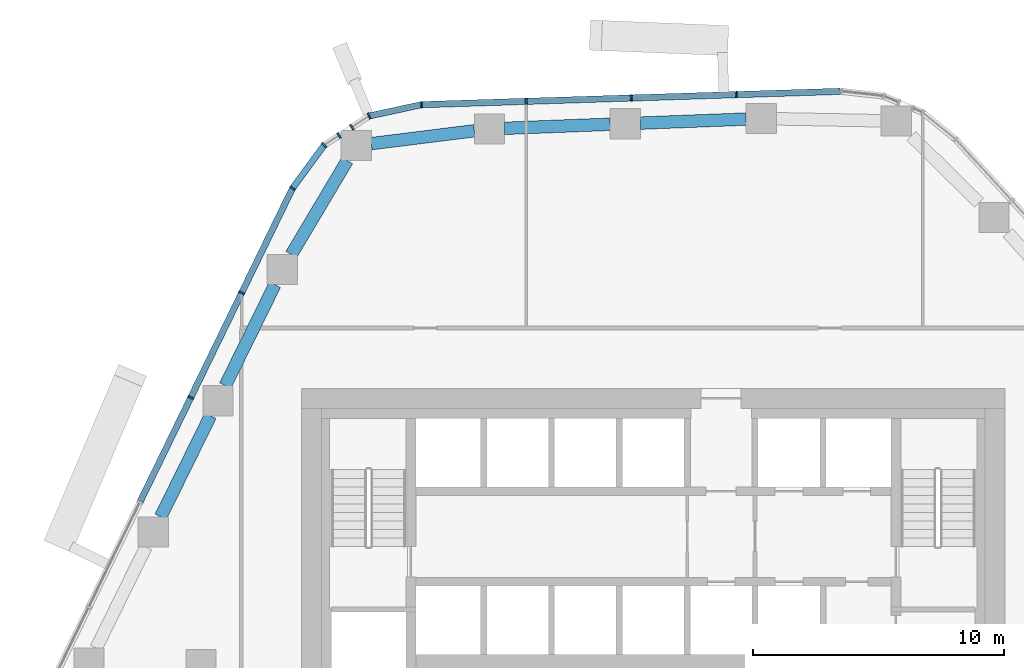
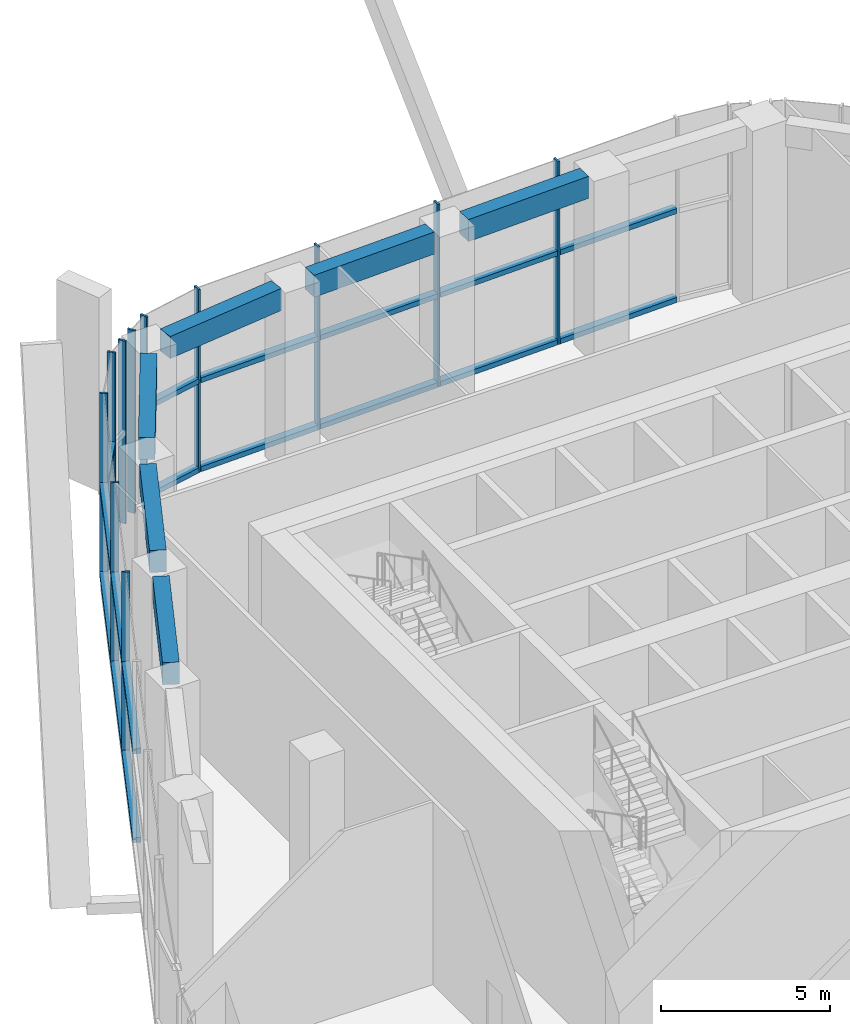
# One storey, part 4 of 20: 29 members, 6 beams, 4 elements without a shape of their own.
"""IFC4 building model written with IfcOpenShell, lengths in metres."""

import ifcopenshell
import ifcopenshell.guid

model = None  # the IFC model being written
_history = None  # IfcOwnerHistory: only IFC2X3 demands one
_inside = {}  # id of a spatial element -> (the spatial element, [elements in it])
_under = {}  # id of a project, library or spatial element -> (it, [spatial elements below it])
_declared = {}  # id of a project -> (the project, [libraries it declares])
_typed = {}  # id of a type object -> (the type object, [elements of that type])
_made_of = {}  # id of a material, layer set ... -> (it, [elements and type objects made of it])


def new_model(schema):
    """Start an empty IFC model of exactly this schema.

    Asked for "IFC4X3", IfcOpenShell would pick the latest addendum, in which some entities
    have other attributes; the version numbers below select the first issue.
    IFC2X3 requires an IfcOwnerHistory on every rooted entity: one is made here for all.
    """
    global model, _history
    if schema == "IFC4X3":
        model = ifcopenshell.file(schema_version=(4, 3, 0, 0))
    else:
        model = ifcopenshell.file(schema=schema)
    _inside.clear()
    _under.clear()
    _declared.clear()
    _typed.clear()
    _made_of.clear()
    _history = None
    if model.schema == "IFC2X3":
        org = make("IfcOrganization", Name="unknown")
        user = make(
            "IfcPersonAndOrganization",
            ThePerson=make("IfcPerson", FamilyName="unknown"),
            TheOrganization=org,
        )
        app = make(
            "IfcApplication",
            ApplicationDeveloper=org,
            Version="unknown",
            ApplicationFullName="unknown",
            ApplicationIdentifier="unknown",
        )
        _history = make(
            "IfcOwnerHistory",
            OwningUser=user,
            OwningApplication=app,
            ChangeAction="ADDED",
            CreationDate=0,
        )
    return model


def make(cls, **values):
    """One entity of the class cls with the attributes given. An attribute that is None is left unset."""
    return model.create_entity(
        cls, **{name: value for name, value in values.items() if value is not None}
    )


def rooted(cls, **values):
    """An entity with a GlobalId (a new one), such as an element, a storey or a relation."""
    return make(cls, GlobalId=ifcopenshell.guid.new(), OwnerHistory=_history, **values)


def si_unit(unit_type, name, prefix=None):
    """IfcSIUnit, for example si_unit("LENGTHUNIT", "METRE", prefix="MILLI")."""
    return make("IfcSIUnit", UnitType=unit_type, Prefix=prefix, Name=name)


def assignment(units):
    """IfcUnitAssignment: the units of a project."""
    return None if units is None else make("IfcUnitAssignment", Units=units)


def point(xyz):
    """IfcCartesianPoint."""
    return None if xyz is None else make("IfcCartesianPoint", Coordinates=xyz)


def direction(xyz):
    """IfcDirection."""
    return None if xyz is None else make("IfcDirection", DirectionRatios=xyz)


def frame(location, z_axis=None, x_axis=None):
    """IfcAxis2Placement3D, a coordinate frame: its origin and axes. An axis left out is left unset."""
    return make(
        "IfcAxis2Placement3D",
        Location=point(location),
        Axis=direction(z_axis),
        RefDirection=direction(x_axis),
    )


def frame_2d(location, x_axis=None):
    """IfcAxis2Placement2D, a coordinate frame in the plane: its origin and x axis."""
    return make(
        "IfcAxis2Placement2D", Location=point(location), RefDirection=direction(x_axis)
    )


def origin():
    """The frame at (0, 0, 0) with its axes left unset."""
    return frame((0.0, 0.0, 0.0))


def origin_2d():
    """The frame at (0, 0) in the plane with its x axis left unset."""
    return frame_2d((0.0, 0.0))


def place(relative_to, where):
    """IfcLocalPlacement: puts the frame where relative to a parent placement (None: the world)."""
    return make(
        "IfcLocalPlacement", PlacementRelTo=relative_to, RelativePlacement=where
    )


def context(
    kind, dimensions, precision=None, world=None, true_north=None, identifier=None
):
    """IfcGeometricRepresentationContext, for example the 3D "Model" context."""
    return make(
        "IfcGeometricRepresentationContext",
        ContextIdentifier=identifier,
        ContextType=kind,
        CoordinateSpaceDimension=dimensions,
        Precision=precision,
        WorldCoordinateSystem=world,
        TrueNorth=true_north,
    )


def subcontext(parent, identifier, kind, view, scale=None):
    """IfcGeometricRepresentationSubContext, for example "Body" below "Model"."""
    return make(
        "IfcGeometricRepresentationSubContext",
        ContextIdentifier=identifier,
        ContextType=kind,
        ParentContext=parent,
        TargetScale=scale,
        TargetView=view,
    )


def project(units=None, contexts=None):
    """IfcProject with its units and contexts."""
    return rooted(
        "IfcProject",
        Name="project",
        RepresentationContexts=contexts,
        UnitsInContext=assignment(units),
    )


def spatial(cls, under=None, at=None, **own):
    """A site, building, storey or space (cls), placed at a placement, below another one or the project."""
    s = rooted(cls, ObjectPlacement=at, **own)
    if under is not None:
        _under.setdefault(under.id(), (under, []))[1].append(s)
    return s


def profile(cls, at=None, kind="AREA", **sizes):
    """A parametric profile (cls). Its sizes go by their IFC names, for example OverallWidth=200.0."""
    return make(cls, ProfileType=kind, Position=at, **sizes)


def rectangle(**sizes):
    """IfcRectangleProfileDef."""
    return profile("IfcRectangleProfileDef", **sizes)


def extrude(swept, where, along, depth):
    """IfcExtrudedAreaSolid: the profile swept, set in the frame where, extruded along a direction by depth."""
    return make(
        "IfcExtrudedAreaSolid",
        SweptArea=swept,
        Position=where,
        ExtrudedDirection=direction(along),
        Depth=depth,
    )


def shape(context_of_items, identifier, shape_type, items):
    """IfcShapeRepresentation: the items that make up one representation, for example the "Body"."""
    return make(
        "IfcShapeRepresentation",
        ContextOfItems=context_of_items,
        RepresentationIdentifier=identifier,
        RepresentationType=shape_type,
        Items=items,
    )


def material(Name=None, Category=None):
    """IfcMaterial."""
    return make("IfcMaterial", Name=Name, Category=Category)


def layer(
    of_material, thickness, ventilated=None, Name=None, Category=None, Priority=None
):
    """IfcMaterialLayer: one layer of a wall or slab, of a material (None: an air gap)."""
    return make(
        "IfcMaterialLayer",
        Material=of_material,
        LayerThickness=thickness,
        IsVentilated=ventilated,
        Name=Name,
        Category=Category,
        Priority=Priority,
    )


def layer_set(layers, Name=None):
    """IfcMaterialLayerSet."""
    return make("IfcMaterialLayerSet", MaterialLayers=layers, LayerSetName=Name)


def material_profile(
    of_material, cross_section, Name=None, Category=None, Priority=None
):
    """IfcMaterialProfile: a cross section and its material."""
    return make(
        "IfcMaterialProfile",
        Name=Name,
        Material=of_material,
        Profile=cross_section,
        Priority=Priority,
        Category=Category,
    )


def profile_set(profiles, Name=None, composite=None):
    """IfcMaterialProfileSet."""
    return make(
        "IfcMaterialProfileSet",
        Name=Name,
        MaterialProfiles=profiles,
        CompositeProfile=composite,
    )


def made_of(thing, what):
    """Note that an element or type object is made of a material, layer set ...; save() writes the relation."""
    if what is not None:
        _made_of.setdefault(what.id(), (what, []))[1].append(thing)
    return thing


def type_object(cls, material=None, **own):
    """A type object (cls), such as IfcWallType, which elements share."""
    return made_of(rooted(cls, **own), material)


def element(
    cls,
    number,
    at=None,
    inside=None,
    cuts=None,
    type_object=None,
    material=None,
    context=None,
    identifier="Body",
    shape_type=None,
    held_by="IfcProductDefinitionShape",
    body=None,
    shapes=None,
    **own,
):
    """One element of the class cls, such as IfcWall. Its Tag is "e" and its number.

    at: its placement. inside: the storey or other place that contains it. cuts: it is an
    opening in that element (IfcRelVoidsElement). A single representation is given by context,
    identifier, shape_type and body (its items); several are given by shapes. held_by: the class
    of the entity that holds the representations. save() writes the other relations.
    """
    e = rooted(cls, Tag="e%d" % number, ObjectPlacement=at, **own)
    if body is not None:
        shapes = [shape(context, identifier, shape_type, body)]
    if shapes is not None:
        e.Representation = make(held_by, Representations=shapes)
    if inside is not None:
        _inside.setdefault(inside.id(), (inside, []))[1].append(e)
    if cuts is not None:
        rooted(
            "IfcRelVoidsElement", RelatingBuildingElement=cuts, RelatedOpeningElement=e
        )
    if type_object is not None:
        _typed.setdefault(type_object.id(), (type_object, []))[1].append(e)
    return made_of(e, material)


def aggregate(whole, parts):
    """IfcRelAggregates: a whole, such as a stair, and the parts it consists of."""
    return rooted("IfcRelAggregates", RelatingObject=whole, RelatedObjects=parts)


def save(model, path):
    """Write the relations noted so far, then the file.

    IfcRelAggregates (storeys below a building ...), IfcRelContainedInSpatialStructure (elements
    in a storey), IfcRelDefinesByType, IfcRelAssociatesMaterial and IfcRelDeclares: one each for
    every whole, place, type object, material and project.
    """
    for whole, parts in _under.values():
        aggregate(whole, parts)
    for where, things in _inside.values():
        rooted(
            "IfcRelContainedInSpatialStructure",
            RelatedElements=things,
            RelatingStructure=where,
        )
    for kind, things in _typed.values():
        rooted("IfcRelDefinesByType", RelatedObjects=things, RelatingType=kind)
    for what, things in _made_of.values():
        rooted("IfcRelAssociatesMaterial", RelatedObjects=things, RelatingMaterial=what)
    for by, libraries in _declared.values():
        rooted("IfcRelDeclares", RelatingContext=by, RelatedDefinitions=libraries)
    model.write(path)


model = new_model("IFC4")

# Units and contexts
model_context = context("Model", 3, precision=1e-05, world=origin(), true_north=direction((0.0, 1.0)))
body_context = subcontext(model_context, "Body", "Model", "MODEL_VIEW")
ifc_project = project(units=[si_unit("LENGTHUNIT", "METRE"), si_unit("AREAUNIT", "SQUARE_METRE"), si_unit("VOLUMEUNIT", "CUBIC_METRE"), si_unit("PLANEANGLEUNIT", "RADIAN"), si_unit("MASSUNIT", "GRAM", prefix="KILO")], contexts=[model_context])

# Site, building, storey
site_placement = place(None, origin())
site = spatial("IfcSite", under=ifc_project, at=site_placement, CompositionType="ELEMENT")
building_placement = place(site_placement, origin())
building = spatial("IfcBuilding", under=site, at=building_placement, Name="Dongbaek Canopy Tower", CompositionType="ELEMENT")
storey_placement = place(building_placement, frame((0.0, 0.0, 151.60009765625)))
storey = spatial("IfcBuildingStorey", under=building, at=storey_placement, Name="L33", CompositionType="ELEMENT", Elevation=151.60009765625)

# Curtain wall, members
ifc_material_1 = material(Name="Aluminium 6063-T6 pale anodised", Category="aluminium")
ifc_layer = layer(ifc_material_1, 0.25)
ifc_layer_set = layer_set([ifc_layer], Name="CW-4 sky-lobby curtain wall")
curtain_wall_type = type_object("IfcCurtainWallType", Name="CW-4 sky-lobby curtain wall", PredefinedType="NOTDEFINED", material=ifc_layer_set)
curtain_wall_1_placement = place(storey_placement, origin())
curtain_wall_1 = element("IfcCurtainWall", 1, at=curtain_wall_1_placement, inside=storey, type_object=curtain_wall_type, Name="CW-4 curtain wall F1.1", PredefinedType="NOTDEFINED")
ifc_material_2 = material(Name="Aluminium 6063-T6 pale anodised", Category="aluminium")
ifc_material_profile_1 = material_profile(ifc_material_2, rectangle(XDim=0.25, YDim=0.070068359375, at=origin_2d()), Name="CW-4 mullion 70 x 250")
ifc_profile_set_1 = profile_set([ifc_material_profile_1], Name="Aluminium 6063-T6 pale anodised")
member_type_1 = type_object("IfcMemberType", Name="CW-4 mullion 70 x 250", PredefinedType="MULLION", material=ifc_profile_set_1)
member_1_placement = place(storey_placement, frame((3.31201171875, 22.6865234375, 0.0), z_axis=(0.0, 0.0, 1.0), x_axis=(-0.031868103134, 0.999492083011, 0.0)))
member_1 = element("IfcMember", 2, at=member_1_placement, type_object=member_type_1, Name="CW-4 mullion F1.1.2", PredefinedType="MULLION", context=body_context, shape_type="SweptSolid", body=[
    extrude(rectangle(XDim=0.25, YDim=0.070068359375, at=origin_2d()), origin(), (0.0, 0.0, 1.0), 6.619873046875),
])
member_2_placement = place(storey_placement, frame((-0.870361328125, 22.55322265625, 0.0), z_axis=(0.0, 0.0, 1.0), x_axis=(-0.031868103134, 0.999492083011, 0.0)))
member_2 = element("IfcMember", 3, at=member_2_placement, type_object=member_type_1, Name="CW-4 mullion F1.1.3", PredefinedType="MULLION", context=body_context, shape_type="SweptSolid", body=[
    extrude(rectangle(XDim=0.25, YDim=0.070068359375, at=origin_2d()), origin(), (0.0, 0.0, 1.0), 6.619873046875),
])
member_3_placement = place(storey_placement, frame((-5.052490234375, 22.419921875, 0.0), z_axis=(0.0, 0.0, 1.0), x_axis=(-0.031868103134, 0.999492083011, 0.0)))
member_3 = element("IfcMember", 4, at=member_3_placement, type_object=member_type_1, Name="CW-4 mullion F1.1.4", PredefinedType="MULLION", context=body_context, shape_type="SweptSolid", body=[
    extrude(rectangle(XDim=0.25, YDim=0.070068359375, at=origin_2d()), origin(), (0.0, 0.0, 1.0), 6.619873046875),
])
member_4_placement = place(storey_placement, frame((-9.2255859375, 22.286865234375, 0.0), z_axis=(0.0, 0.0, 1.0), x_axis=(-0.031868103134, 0.999492083011, 0.0)))
member_4 = element("IfcMember", 5, at=member_4_placement, type_object=member_type_1, Name="CW-4 mullion F1.1.5", PredefinedType="MULLION", context=body_context, shape_type="SweptSolid", body=[
    extrude(rectangle(XDim=0.25, YDim=0.070068359375, at=origin_2d()), origin(), (0.0, 0.0, 1.0), 6.619873046875),
])

curtain_wall_2_placement = place(storey_placement, origin())
curtain_wall_2 = element("IfcCurtainWall", 6, at=curtain_wall_2_placement, inside=storey, type_object=curtain_wall_type, Name="CW-4 curtain wall K2.1a", PredefinedType="NOTDEFINED")
member_5_placement = place(storey_placement, frame((-11.310791015625, 21.8359375, 0.0), z_axis=(0.0, 0.0, 1.0), x_axis=(-0.383856899536, 0.92339259293, 0.0)))
member_5 = element("IfcMember", 7, at=member_5_placement, type_object=member_type_1, Name="CW-4 mullion K2.1a.2", PredefinedType="MULLION", context=body_context, shape_type="SweptSolid", body=[
    extrude(rectangle(XDim=0.25, YDim=0.070068359375, at=origin_2d()), origin(), (0.0, 0.0, 1.0), 6.619873046875),
])
member_6_placement = place(storey_placement, frame((-11.997314453125, 21.39111328125, 0.0), z_axis=(0.0, 0.0, 1.0), x_axis=(-0.543849562262, 0.839182729581, 0.0)))
member_6 = element("IfcMember", 8, at=member_6_placement, type_object=member_type_1, Name="CW-4 mullion K2.1a.3", PredefinedType="MULLION", context=body_context, shape_type="SweptSolid", body=[
    extrude(rectangle(XDim=0.25, YDim=0.070068359375, at=origin_2d()), origin(), (0.0, 0.0, 1.0), 6.619873046875),
])

curtain_wall_3_placement = place(storey_placement, origin())
curtain_wall_3 = element("IfcCurtainWall", 9, at=curtain_wall_3_placement, inside=storey, type_object=curtain_wall_type, Name="CW-4 curtain wall K2.1b", PredefinedType="NOTDEFINED")
member_7_placement = place(storey_placement, frame((-12.50732421875, 21.060546875, 0.0), z_axis=(0.0, 0.0, 1.0), x_axis=(-0.543849562262, 0.839182729581, 0.0)))
member_7 = element("IfcMember", 10, at=member_7_placement, type_object=member_type_1, Name="CW-4 mullion K2.1b.1", PredefinedType="MULLION", context=body_context, shape_type="SweptSolid", body=[
    extrude(rectangle(XDim=0.25, YDim=0.070068359375, at=origin_2d()), origin(), (0.0, 0.0, 1.0), 6.619873046875),
])
member_8_placement = place(storey_placement, frame((-13.09326171875, 20.680908203125, 0.0), z_axis=(0.0, 0.0, 1.0), x_axis=(-0.686064352094, 0.727540861249, 0.0)))
member_8 = element("IfcMember", 11, at=member_8_placement, type_object=member_type_1, Name="CW-4 mullion K2.1b.2", PredefinedType="MULLION", context=body_context, shape_type="SweptSolid", body=[
    extrude(rectangle(XDim=0.25, YDim=0.070068359375, at=origin_2d()), origin(), (0.0, 0.0, 1.0), 6.619873046875),
])
member_9_placement = place(storey_placement, frame((-14.3564453125, 18.961669921875, 0.0), z_axis=(0.0, 0.0, 1.0), x_axis=(-0.805852416419, 0.592116443744, 0.0)))
member_9 = element("IfcMember", 12, at=member_9_placement, type_object=member_type_1, Name="CW-4 mullion K2.1b.3", PredefinedType="MULLION", context=body_context, shape_type="SweptSolid", body=[
    extrude(rectangle(XDim=0.25, YDim=0.070068359375, at=origin_2d()), origin(), (0.0, 0.0, 1.0), 6.619873046875),
])

curtain_wall_4_placement = place(storey_placement, origin())
curtain_wall_4 = element("IfcCurtainWall", 13, at=curtain_wall_4_placement, inside=storey, type_object=curtain_wall_type, Name="CW-4 curtain wall F2.1", PredefinedType="NOTDEFINED")
member_10_placement = place(storey_placement, frame((-16.379638671875, 14.80126953125, 0.0), z_axis=(0.0, 0.0, 1.0), x_axis=(-0.899298008809, 0.437336359513, 0.0)))
member_10 = element("IfcMember", 14, at=member_10_placement, type_object=member_type_1, Name="CW-4 mullion F2.1.2", PredefinedType="MULLION", context=body_context, shape_type="SweptSolid", body=[
    extrude(rectangle(XDim=0.25, YDim=0.070068359375, at=origin_2d()), origin(), (0.0, 0.0, 1.0), 6.619873046875),
])
member_11_placement = place(storey_placement, frame((-18.40673828125, 10.6328125, 0.0), z_axis=(0.0, 0.0, 1.0), x_axis=(-0.899298008809, 0.437336359513, 0.0)))
member_11 = element("IfcMember", 15, at=member_11_placement, type_object=member_type_1, Name="CW-4 mullion F2.1.3", PredefinedType="MULLION", context=body_context, shape_type="SweptSolid", body=[
    extrude(rectangle(XDim=0.25, YDim=0.070068359375, at=origin_2d()), origin(), (0.0, 0.0, 1.0), 6.619873046875),
])

# Member
ifc_material_3 = material(Name="Aluminium 6063-T6 pale anodised", Category="aluminium")
ifc_material_profile_2 = material_profile(ifc_material_3, rectangle(XDim=0.25, YDim=0.179931640625, at=origin_2d()), Name="CW-4 transom 180 x 250")
ifc_profile_set_2 = profile_set([ifc_material_profile_2], Name="Aluminium 6063-T6 pale anodised")
member_type_2 = type_object("IfcMemberType", Name="CW-4 transom 180 x 250", PredefinedType="USERDEFINED", material=ifc_profile_set_2)
member_12_placement = place(storey_placement, frame((7.43994140625, 22.818115234375, 0.08984375), z_axis=(-0.99949204096, -0.031869421981, 0.0), x_axis=(0.031869421981, -0.99949204096, 0.0)))
member_12 = element("IfcMember", 16, at=member_12_placement, type_object=member_type_2, Name="CW-4 transom F1.1.1.1", ObjectType="TRANSOM", PredefinedType="USERDEFINED", context=body_context, shape_type="SweptSolid", body=[
    extrude(rectangle(XDim=0.25, YDim=0.179931640625, at=origin_2d()), origin(), (0.0, 0.0, 1.0), 4.0830078125),
])

member_13_placement = place(storey_placement, frame((7.43994140625, 22.818115234375, 3.309814453125), z_axis=(-0.99949204096, -0.031869421981, 0.0), x_axis=(0.031869421981, -0.99949204096, 0.0)))
member_13 = element("IfcMember", 17, at=member_13_placement, type_object=member_type_2, Name="CW-4 transom F1.1.1.2", ObjectType="TRANSOM", PredefinedType="USERDEFINED", context=body_context, shape_type="SweptSolid", body=[
    extrude(rectangle(XDim=0.25, YDim=0.179931640625, at=origin_2d()), origin(), (0.0, 0.0, 1.0), 4.0830078125),
])

member_14_placement = place(storey_placement, frame((3.264892578125, 22.68505859375, 0.08984375), z_axis=(-0.999491897751, -0.031873913013, 0.0), x_axis=(0.031873913013, -0.999491897751, 0.0)))
member_14 = element("IfcMember", 18, at=member_14_placement, type_object=member_type_2, Name="CW-4 transom F1.1.2.1", ObjectType="TRANSOM", PredefinedType="USERDEFINED", context=body_context, shape_type="SweptSolid", body=[
    extrude(rectangle(XDim=0.25, YDim=0.179931640625, at=origin_2d()), origin(), (0.0, 0.0, 1.0), 4.09033203125),
])

member_15_placement = place(storey_placement, frame((3.264892578125, 22.68505859375, 3.309814453125), z_axis=(-0.999491897751, -0.031873913013, 0.0), x_axis=(0.031873913013, -0.999491897751, 0.0)))
member_15 = element("IfcMember", 19, at=member_15_placement, type_object=member_type_2, Name="CW-4 transom F1.1.2.2", ObjectType="TRANSOM", PredefinedType="USERDEFINED", context=body_context, shape_type="SweptSolid", body=[
    extrude(rectangle(XDim=0.25, YDim=0.179931640625, at=origin_2d()), origin(), (0.0, 0.0, 1.0), 4.09033203125),
])

member_16_placement = place(storey_placement, frame((-0.917236328125, 22.5517578125, 0.08984375), z_axis=(-0.999491897751, -0.031873913013, 0.0), x_axis=(0.031873913013, -0.999491897751, 0.0)))
member_16 = element("IfcMember", 20, at=member_16_placement, type_object=member_type_2, Name="CW-4 transom F1.1.3.1", ObjectType="TRANSOM", PredefinedType="USERDEFINED", context=body_context, shape_type="SweptSolid", body=[
    extrude(rectangle(XDim=0.25, YDim=0.179931640625, at=origin_2d()), origin(), (0.0, 0.0, 1.0), 4.09033203125),
])

member_17_placement = place(storey_placement, frame((-0.917236328125, 22.5517578125, 3.309814453125), z_axis=(-0.999491897751, -0.031873913013, 0.0), x_axis=(0.031873913013, -0.999491897751, 0.0)))
member_17 = element("IfcMember", 21, at=member_17_placement, type_object=member_type_2, Name="CW-4 transom F1.1.3.2", ObjectType="TRANSOM", PredefinedType="USERDEFINED", context=body_context, shape_type="SweptSolid", body=[
    extrude(rectangle(XDim=0.25, YDim=0.179931640625, at=origin_2d()), origin(), (0.0, 0.0, 1.0), 4.09033203125),
])

member_18_placement = place(storey_placement, frame((-5.099365234375, 22.41845703125, 0.08984375), z_axis=(-0.99949155478, -0.03188466595, 0.0), x_axis=(0.03188466595, -0.99949155478, 0.0)))
member_18 = element("IfcMember", 22, at=member_18_placement, type_object=member_type_2, Name="CW-4 transom F1.1.4.1", ObjectType="TRANSOM", PredefinedType="USERDEFINED", context=body_context, shape_type="SweptSolid", body=[
    extrude(rectangle(XDim=0.25, YDim=0.179931640625, at=origin_2d()), origin(), (0.0, 0.0, 1.0), 4.0810546875),
])

member_19_placement = place(storey_placement, frame((-5.099365234375, 22.41845703125, 3.309814453125), z_axis=(-0.99949155478, -0.03188466595, 0.0), x_axis=(0.03188466595, -0.99949155478, 0.0)))
member_19 = element("IfcMember", 23, at=member_19_placement, type_object=member_type_2, Name="CW-4 transom F1.1.4.2", ObjectType="TRANSOM", PredefinedType="USERDEFINED", context=body_context, shape_type="SweptSolid", body=[
    extrude(rectangle(XDim=0.25, YDim=0.179931640625, at=origin_2d()), origin(), (0.0, 0.0, 1.0), 4.0810546875),
])

aggregate(curtain_wall_1, [member_1, member_2, member_3, member_4, member_12, member_13, member_14, member_15, member_16, member_17, member_18, member_19])

member_20_placement = place(storey_placement, frame((-9.271484375, 22.27685546875, 0.08984375), z_axis=(-0.977418843839, -0.21131115377, 0.0), x_axis=(0.21131115377, -0.977418843839, 0.0)))
member_20 = element("IfcMember", 24, at=member_20_placement, type_object=member_type_2, Name="CW-4 transom K2.1a.1.1", ObjectType="TRANSOM", PredefinedType="USERDEFINED", context=body_context, shape_type="SweptSolid", body=[
    extrude(rectangle(XDim=0.25, YDim=0.179931640625, at=origin_2d()), origin(), (0.0, 0.0, 1.0), 2.039306640625),
])

member_21_placement = place(storey_placement, frame((-9.271484375, 22.27685546875, 3.309814453125), z_axis=(-0.977418843839, -0.21131115377, 0.0), x_axis=(0.21131115377, -0.977418843839, 0.0)))
member_21 = element("IfcMember", 25, at=member_21_placement, type_object=member_type_2, Name="CW-4 transom K2.1a.1.2", ObjectType="TRANSOM", PredefinedType="USERDEFINED", context=body_context, shape_type="SweptSolid", body=[
    extrude(rectangle(XDim=0.25, YDim=0.179931640625, at=origin_2d()), origin(), (0.0, 0.0, 1.0), 2.039306640625),
])

aggregate(curtain_wall_2, [member_5, member_6, member_20, member_21])

member_22_placement = place(storey_placement, frame((-13.12109375, 20.64306640625, 0.08984375), z_axis=(-0.592079607194, -0.805879481526, 0.0), x_axis=(0.805879481526, -0.592079607194, 0.0)))
member_22 = element("IfcMember", 26, at=member_22_placement, type_object=member_type_2, Name="CW-4 transom K2.1b.2.1", ObjectType="TRANSOM", PredefinedType="USERDEFINED", context=body_context, shape_type="SweptSolid", body=[
    extrude(rectangle(XDim=0.25, YDim=0.179931640625, at=origin_2d()), origin(), (0.0, 0.0, 1.0), 2.03955078125),
])

member_23_placement = place(storey_placement, frame((-13.12109375, 20.64306640625, 3.309814453125), z_axis=(-0.592079607194, -0.805879481526, 0.0), x_axis=(0.805879481526, -0.592079607194, 0.0)))
member_23 = element("IfcMember", 27, at=member_23_placement, type_object=member_type_2, Name="CW-4 transom K2.1b.2.2", ObjectType="TRANSOM", PredefinedType="USERDEFINED", context=body_context, shape_type="SweptSolid", body=[
    extrude(rectangle(XDim=0.25, YDim=0.179931640625, at=origin_2d()), origin(), (0.0, 0.0, 1.0), 2.03955078125),
])

aggregate(curtain_wall_3, [member_7, member_8, member_9, member_22, member_23])

member_24_placement = place(storey_placement, frame((-14.376953125, 18.91943359375, 0.08984375), z_axis=(-0.437339750989, -0.899296359497, 0.0), x_axis=(0.899296359497, -0.437339750989, 0.0)))
member_24 = element("IfcMember", 28, at=member_24_placement, type_object=member_type_2, Name="CW-4 transom F2.1.1.1", ObjectType="TRANSOM", PredefinedType="USERDEFINED", context=body_context, shape_type="SweptSolid", body=[
    extrude(rectangle(XDim=0.25, YDim=0.179931640625, at=origin_2d()), origin(), (0.0, 0.0, 1.0), 4.532470703125),
])

member_25_placement = place(storey_placement, frame((-14.376953125, 18.91943359375, 3.309814453125), z_axis=(-0.437339750989, -0.899296359497, 0.0), x_axis=(0.899296359497, -0.437339750989, 0.0)))
member_25 = element("IfcMember", 29, at=member_25_placement, type_object=member_type_2, Name="CW-4 transom F2.1.1.2", ObjectType="TRANSOM", PredefinedType="USERDEFINED", context=body_context, shape_type="SweptSolid", body=[
    extrude(rectangle(XDim=0.25, YDim=0.179931640625, at=origin_2d()), origin(), (0.0, 0.0, 1.0), 4.532470703125),
])

member_26_placement = place(storey_placement, frame((-16.400146484375, 14.759033203125, 0.08984375), z_axis=(-0.437337649378, -0.899297381536, 0.0), x_axis=(0.899297381536, -0.437337649378, 0.0)))
member_26 = element("IfcMember", 30, at=member_26_placement, type_object=member_type_2, Name="CW-4 transom F2.1.2.1", ObjectType="TRANSOM", PredefinedType="USERDEFINED", context=body_context, shape_type="SweptSolid", body=[
    extrude(rectangle(XDim=0.25, YDim=0.179931640625, at=origin_2d()), origin(), (0.0, 0.0, 1.0), 4.541259765625),
])

member_27_placement = place(storey_placement, frame((-16.400146484375, 14.759033203125, 3.309814453125), z_axis=(-0.437337649378, -0.899297381536, 0.0), x_axis=(0.899297381536, -0.437337649378, 0.0)))
member_27 = element("IfcMember", 31, at=member_27_placement, type_object=member_type_2, Name="CW-4 transom F2.1.2.2", ObjectType="TRANSOM", PredefinedType="USERDEFINED", context=body_context, shape_type="SweptSolid", body=[
    extrude(rectangle(XDim=0.25, YDim=0.179931640625, at=origin_2d()), origin(), (0.0, 0.0, 1.0), 4.541259765625),
])

member_28_placement = place(storey_placement, frame((-18.42724609375, 10.590576171875, 0.08984375), z_axis=(-0.437337649378, -0.899297381536, 0.0), x_axis=(0.899297381536, -0.437337649378, 0.0)))
member_28 = element("IfcMember", 32, at=member_28_placement, type_object=member_type_2, Name="CW-4 transom F2.1.3.1", ObjectType="TRANSOM", PredefinedType="USERDEFINED", context=body_context, shape_type="SweptSolid", body=[
    extrude(rectangle(XDim=0.25, YDim=0.179931640625, at=origin_2d()), origin(), (0.0, 0.0, 1.0), 4.541259765625),
])

member_29_placement = place(storey_placement, frame((-18.42724609375, 10.590576171875, 3.309814453125), z_axis=(-0.437337649378, -0.899297381536, 0.0), x_axis=(0.899297381536, -0.437337649378, 0.0)))
member_29 = element("IfcMember", 33, at=member_29_placement, type_object=member_type_2, Name="CW-4 transom F2.1.3.2", ObjectType="TRANSOM", PredefinedType="USERDEFINED", context=body_context, shape_type="SweptSolid", body=[
    extrude(rectangle(XDim=0.25, YDim=0.179931640625, at=origin_2d()), origin(), (0.0, 0.0, 1.0), 4.541259765625),
])

aggregate(curtain_wall_4, [member_10, member_11, member_24, member_25, member_26, member_27, member_28, member_29])

# Beams
ifc_material_4 = material(Name="Concrete C70", Category="concrete")
ifc_material_profile_3 = material_profile(ifc_material_4, rectangle(XDim=0.5, YDim=0.800048828125, at=origin_2d()), Name="RC EDGE BEAM 500x800 C70")
ifc_profile_set_3 = profile_set([ifc_material_profile_3], Name="Concrete C70")
beam_type = type_object("IfcBeamType", Name="RC EDGE BEAM 500x800 C70", PredefinedType="BEAM", material=ifc_profile_set_3)
beam_1_placement = place(storey_placement, frame((-19.6005859375, 5.886962890625, 6.219970703125), z_axis=(0.441534821152, 0.897244114893, 0.0), x_axis=(-0.897244114893, 0.441534821152, 0.0)))
element("IfcBeam", 34, at=beam_1_placement, inside=storey, type_object=beam_type, Name="EDGEBEAM:L33:10", PredefinedType="BEAM", context=body_context, shape_type="SweptSolid", body=[
    extrude(rectangle(XDim=0.5, YDim=0.800048828125, at=origin_2d()), origin(), (0.0, 0.0, 1.0), 4.478271484375),
])
beam_2_placement = place(storey_placement, frame((-17.032958984375, 11.10498046875, 6.219970703125), z_axis=(0.441228982876, 0.89739455351, 0.0), x_axis=(-0.89739455351, 0.441228982876, 0.0)))
element("IfcBeam", 35, at=beam_2_placement, inside=storey, type_object=beam_type, Name="EDGEBEAM:L33:11", PredefinedType="BEAM", context=body_context, shape_type="SweptSolid", body=[
    extrude(rectangle(XDim=0.5, YDim=0.800048828125, at=origin_2d()), origin(), (0.0, 0.0, 1.0), 4.478515625),
])
beam_3_placement = place(storey_placement, frame((-14.40478515625, 16.323974609375, 6.219970703125), z_axis=(0.51151247975, 0.859275848061, 0.0), x_axis=(-0.859275848061, 0.51151247975, 0.0)))
element("IfcBeam", 36, at=beam_3_placement, inside=storey, type_object=beam_type, Name="EDGEBEAM:L33:12", PredefinedType="BEAM", context=body_context, shape_type="SweptSolid", body=[
    extrude(rectangle(XDim=0.5, YDim=0.800048828125, at=origin_2d()), origin(), (0.0, 0.0, 1.0), 4.34912109375),
])
beam_4_placement = place(storey_placement, frame((-11.222900390625, 20.73583984375, 6.219970703125), z_axis=(0.992289687294, 0.123940213368, 0.0), x_axis=(-0.123940213368, 0.992289687294, 0.0)))
element("IfcBeam", 37, at=beam_4_placement, inside=storey, type_object=beam_type, Name="EDGEBEAM:L33:13", PredefinedType="BEAM", context=body_context, shape_type="SweptSolid", body=[
    extrude(rectangle(XDim=0.5, YDim=0.800048828125, at=origin_2d()), origin(), (0.0, 0.0, 1.0), 4.1328125),
])
beam_5_placement = place(storey_placement, frame((-5.922119140625, 21.345947265625, 6.219970703125), z_axis=(0.999268092878, 0.038252824158, 0.0), x_axis=(-0.038252824158, 0.999268092878, 0.0)))
element("IfcBeam", 38, at=beam_5_placement, inside=storey, type_object=beam_type, Name="EDGEBEAM:L33:14", PredefinedType="BEAM", context=body_context, shape_type="SweptSolid", body=[
    extrude(rectangle(XDim=0.5, YDim=0.800048828125, at=origin_2d()), origin(), (0.0, 0.0, 1.0), 4.21240234375),
])
beam_6_placement = place(storey_placement, frame((-0.512939453125, 21.552978515625, 6.219970703125), z_axis=(0.999276508887, 0.0380323387, 0.0), x_axis=(-0.0380323387, 0.999276508887, 0.0)))
element("IfcBeam", 39, at=beam_6_placement, inside=storey, type_object=beam_type, Name="EDGEBEAM:L33:15", PredefinedType="BEAM", context=body_context, shape_type="SweptSolid", body=[
    extrude(rectangle(XDim=0.5, YDim=0.800048828125, at=origin_2d()), origin(), (0.0, 0.0, 1.0), 4.2109375),
])

save(model, "model.ifc")
